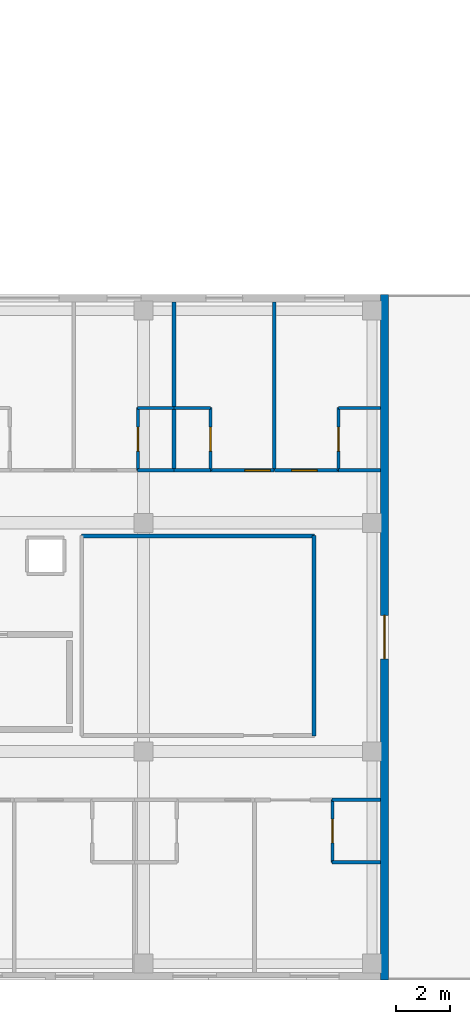
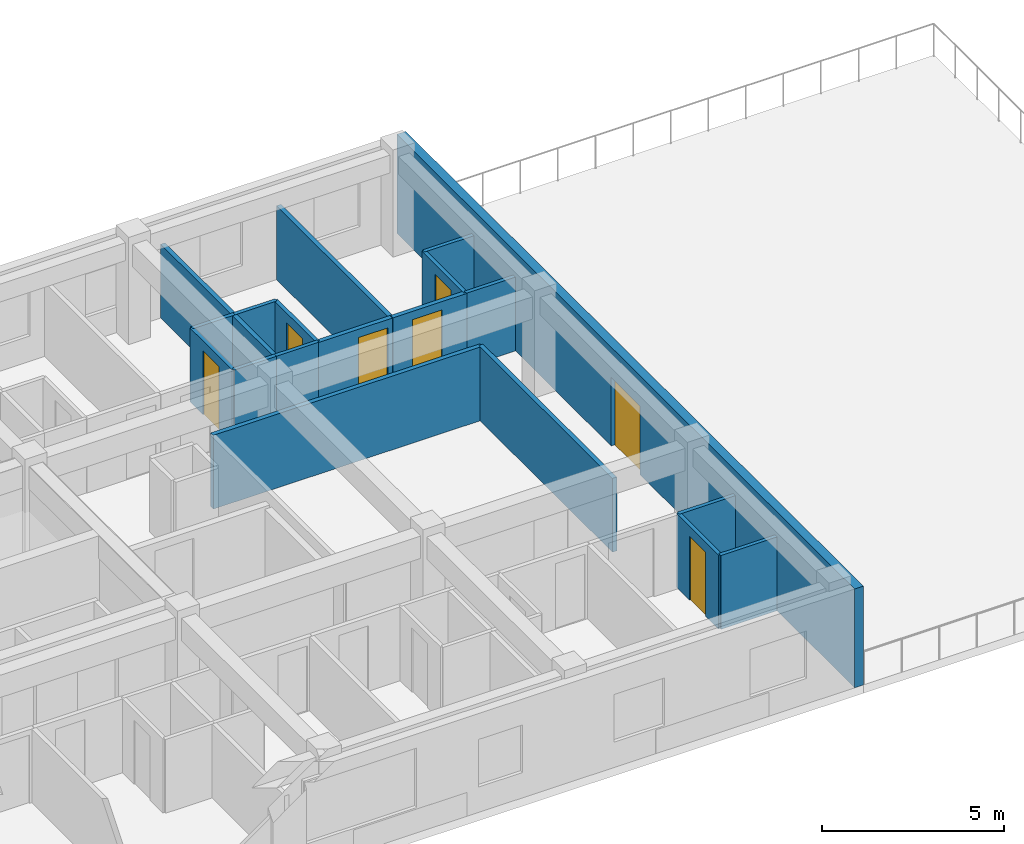
# One storey, part 9 of 13: 19 walls, 7 doors, 7 openings.
"""IFC4 building model written with IfcOpenShell, lengths in metres."""

from ifc_helpers import new_model, si_unit, direction, frame, frame_2d, origin, place, context, subcontext, project, spatial, rectangle, extrude, material, layer, layer_set, type_object, element, fill, save


model = new_model("IFC4")

# Units and contexts
model_context = context("Model", 3, precision=1e-05, world=origin(), true_north=direction((0.0, 1.0)))
body_context = subcontext(model_context, "Body", "Model", "MODEL_VIEW")
ifc_project = project(units=[si_unit("LENGTHUNIT", "METRE"), si_unit("AREAUNIT", "SQUARE_METRE"), si_unit("VOLUMEUNIT", "CUBIC_METRE"), si_unit("PLANEANGLEUNIT", "RADIAN"), si_unit("MASSUNIT", "GRAM", prefix="KILO")], contexts=[model_context])

# Site, building, storey
site_placement = place(None, origin())
site = spatial("IfcSite", under=ifc_project, at=site_placement, CompositionType="ELEMENT")
building_placement = place(site_placement, origin())
building = spatial("IfcBuilding", under=site, at=building_placement, Name="Zayran Congress Hotel", CompositionType="ELEMENT")
storey_placement = place(building_placement, frame((0.0, 0.0, 22.800048828125)))
storey = spatial("IfcBuildingStorey", under=building, at=storey_placement, Name="L05", CompositionType="ELEMENT", Elevation=22.800048828125)

# Wall, opening, door
ifc_material_1 = material(Name="Hajar Ma'ani limestone cavity wall and concrete C32/40", Category="masonry")
ifc_layer_1 = layer(ifc_material_1, 0.280029296875)
ifc_layer_set_1 = layer_set([ifc_layer_1], Name="Hajar Ma'ani limestone cavity wall and concrete C32/40")
wall_type_1 = type_object("IfcWallType", Name="WL-EX-280", PredefinedType="SOLIDWALL", material=ifc_layer_set_1)
wall_1_placement = place(storey_placement, frame((75.4599609375, 34.0, 0.0), z_axis=(0.0, 0.0, 1.0), x_axis=(0.0, -1.0, 0.0)))
wall_1 = element("IfcWall", 1, at=wall_1_placement, inside=storey, type_object=wall_type_1, Name="EW-V5-E-L05", PredefinedType="SOLIDWALL", context=body_context, shape_type="SweptSolid", body=[
    extrude(rectangle(XDim=25.199951171875, YDim=0.280029296875, at=frame_2d((12.60009765625, 0.0))), origin(), (0.0, 0.0, 1.0), 3.320068359375),
])
opening_1_placement = place(wall_1_placement, frame((11.800048828125, 0.0, 0.0)))
opening_1 = element("IfcOpeningElement", 2, at=opening_1_placement, cuts=wall_1, Name="Opening DEX-04", PredefinedType="OPENING", context=body_context, shape_type="SweptSolid", body=[
    extrude(rectangle(XDim=1.60009765625, YDim=2.300048828125, at=frame_2d((0.800048828125, 1.14990234375))), frame((0.0, 0.14990234375, 0.0), z_axis=(0.0, -1.0, 0.0), x_axis=(1.0, 0.0, 0.0)), (0.0, 0.0, 1.0), 0.300048828125),
])
ifc_material_2 = material(Name="Anodised aluminium terrace door", Category="aluminium")
door_type_1 = type_object("IfcDoorType", Name="TP-DEX-04", OperationType="DOUBLE_DOOR_SINGLE_SWING", PredefinedType="DOOR", material=ifc_material_2)
door_1_placement = place(opening_1_placement, origin())
door_1 = element("IfcDoor", 3, at=door_1_placement, inside=storey, type_object=door_type_1, Name="L05 East Planted Roof Terrace Door", OperationType="DOUBLE_DOOR_SINGLE_SWING", OverallHeight=2.300048828125, OverallWidth=1.60009765625, PredefinedType="DOOR", context=body_context, shape_type="SweptSolid", body=[
    extrude(rectangle(XDim=1.60009765625, YDim=2.300048828125, at=frame_2d((0.800048828125, 1.14990234375))), frame((0.0, 0.02490234375, 0.0), z_axis=(0.0, -1.0, 0.0), x_axis=(1.0, 0.0, 0.0)), (0.0, 0.0, 1.0), 0.050048828125),
])
fill(opening_1, door_1)

ifc_material_3 = material(Name="Hospitality guestroom acoustic partition", Category="gypsum")
ifc_layer_2 = layer(ifc_material_3, 0.139892578125)
ifc_layer_set_2 = layer_set([ifc_layer_2], Name="Hospitality guestroom acoustic partition")
wall_type_2 = type_object("IfcWallType", Name="WL-PT-140", PredefinedType="PARTITIONING", material=ifc_layer_set_2)
wall_2_placement = place(storey_placement, frame((69.06103515625, 27.530029296875, 0.0), z_axis=(0.0, 0.0, 1.0), x_axis=(1.0, 0.0, 0.0)))
wall_2 = element("IfcWall", 4, at=wall_2_placement, inside=storey, type_object=wall_type_2, Name="IW-L05-0687", PredefinedType="PARTITIONING", context=body_context, shape_type="SweptSolid", body=[
    extrude(rectangle(XDim=2.343994140625, YDim=0.139892578125, at=frame_2d((1.171875, 0.0))), origin(), (0.0, 0.0, 1.0), 2.47998046875),
])
opening_2_placement = place(wall_2_placement, frame((1.263916015625, 0.0, 0.0)))
opening_2 = element("IfcOpeningElement", 5, at=opening_2_placement, cuts=wall_2, Name="Opening DR-GR-01", PredefinedType="OPENING", context=body_context, shape_type="SweptSolid", body=[
    extrude(rectangle(XDim=0.93994140625, YDim=2.199951171875, at=frame_2d((0.469970703125, 1.10009765625))), frame((0.0, 0.079833984375, 0.0), z_axis=(0.0, -1.0, 0.0), x_axis=(1.0, 0.0, 0.0)), (0.0, 0.0, 1.0), 0.159912109375),
])
ifc_material_4 = material(Name="Acoustic walnut veneer fire-rated entry door", Category="wood")
door_type_2 = type_object("IfcDoorType", Name="TP-DR-GR-01", OperationType="NOTDEFINED", PredefinedType="DOOR", material=ifc_material_4)
door_2_placement = place(opening_2_placement, origin())
door_2 = element("IfcDoor", 6, at=door_2_placement, inside=storey, type_object=door_type_2, Name="Guest Room L05-29 Door", OperationType="SINGLE_SWING_LEFT", OverallHeight=2.199951171875, OverallWidth=0.93994140625, PredefinedType="DOOR", context=body_context, shape_type="SweptSolid", body=[
    extrude(rectangle(XDim=0.93994140625, YDim=2.199951171875, at=frame_2d((0.469970703125, 1.10009765625))), frame((0.0, 0.02490234375, 0.0), z_axis=(0.0, -1.0, 0.0), x_axis=(1.0, 0.0, 0.0)), (0.0, 0.0, 1.0), 0.050048828125),
])
fill(opening_2, door_2)

wall_3_placement = place(storey_placement, frame((71.425048828125, 27.530029296875, 0.0), z_axis=(0.0, 0.0, 1.0), x_axis=(1.0, 0.0, 0.0)))
wall_3 = element("IfcWall", 7, at=wall_3_placement, inside=storey, type_object=wall_type_2, Name="IW-L05-0688", PredefinedType="PARTITIONING", context=body_context, shape_type="SweptSolid", body=[
    extrude(rectangle(XDim=2.344970703125, YDim=0.139892578125, at=frame_2d((1.17236328125, 0.0))), origin(), (0.0, 0.0, 1.0), 2.47998046875),
])
opening_3_placement = place(wall_3_placement, frame((0.6220703125, 0.0, 0.0)))
opening_3 = element("IfcOpeningElement", 8, at=opening_3_placement, cuts=wall_3, Name="Opening DR-GR-01", PredefinedType="OPENING", context=body_context, shape_type="SweptSolid", body=[
    extrude(rectangle(XDim=0.93994140625, YDim=2.199951171875, at=frame_2d((0.469970703125, 1.10009765625))), frame((0.0, 0.079833984375, 0.0), z_axis=(0.0, -1.0, 0.0), x_axis=(1.0, 0.0, 0.0)), (0.0, 0.0, 1.0), 0.159912109375),
])
door_3_placement = place(opening_3_placement, origin())
door_3 = element("IfcDoor", 9, at=door_3_placement, inside=storey, type_object=door_type_2, Name="Guest Room L05-30 Door", OperationType="SINGLE_SWING_RIGHT", OverallHeight=2.199951171875, OverallWidth=0.93994140625, PredefinedType="DOOR", context=body_context, shape_type="SweptSolid", body=[
    extrude(rectangle(XDim=0.93994140625, YDim=2.199951171875, at=frame_2d((0.469970703125, 1.10009765625))), frame((0.0, 0.02490234375, 0.0), z_axis=(0.0, -1.0, 0.0), x_axis=(1.0, 0.0, 0.0)), (0.0, 0.0, 1.0), 0.050048828125),
])
fill(opening_3, door_3)

# Walls
wall_4_placement = place(storey_placement, frame((64.320068359375, 25.1201171875, 0.0), z_axis=(0.0, 0.0, 1.0), x_axis=(1.0, 0.0, 0.0)))
element("IfcWall", 10, at=wall_4_placement, inside=storey, type_object=wall_type_2, Name="IW-L05-1983", PredefinedType="PARTITIONING", context=body_context, shape_type="SweptSolid", body=[
    extrude(rectangle(XDim=8.559814453125, YDim=0.139892578125, at=frame_2d((4.27978515625, 0.0))), origin(), (0.0, 0.0, 1.0), 2.47998046875),
])
wall_5_placement = place(storey_placement, frame((72.8701171875, 17.77001953125, 0.0), z_axis=(0.0, 0.0, 1.0), x_axis=(0.0, 1.0, 0.0)))
element("IfcWall", 11, at=wall_5_placement, inside=storey, type_object=wall_type_2, Name="IW-L05-1985", PredefinedType="PARTITIONING", context=body_context, shape_type="SweptSolid", body=[
    extrude(rectangle(XDim=7.35986328125, YDim=0.139892578125, at=frame_2d((3.679931640625, 0.0))), origin(), (0.0, 0.0, 1.0), 2.47998046875),
])
for number, where, z_axis, x_axis, name in (
    (12, (67.720947265625, 27.52001953125, 0.0), (0.0, 0.0, 1.0), (0.0, 1.0, 0.0), "IW-L05-2014"),
    (13, (71.405029296875, 27.52001953125, 0.0), (0.0, 0.0, 1.0), (0.0, 1.0, 0.0), "IW-L05-2015"),
):
    element("IfcWall", number, at=place(storey_placement, frame(where, z_axis=z_axis, x_axis=x_axis)), inside=storey, type_object=wall_type_2, Name=name, PredefinedType="PARTITIONING", context=body_context, shape_type="SweptSolid", body=[
        extrude(rectangle(XDim=6.199951171875, YDim=0.139892578125, at=frame_2d((3.10009765625, 0.0))), origin(), (0.0, 0.0, 1.0), 2.47998046875),
    ])

# Wall, opening, door
ifc_material_5 = material(Name="Moisture-resistant bathroom partition", Category="gypsum")
ifc_layer_3 = layer(ifc_material_5, 0.1201171875)
ifc_layer_set_3 = layer_set([ifc_layer_3], Name="Moisture-resistant bathroom partition")
wall_type_3 = type_object("IfcWallType", Name="WL-PT-120", PredefinedType="PARTITIONING", material=ifc_layer_set_3)
wall_6_placement = place(storey_placement, frame((73.547119140625, 13.1201171875, 0.0), z_axis=(0.0, 0.0, 1.0), x_axis=(0.0, 1.0, 0.0)))
wall_6 = element("IfcWall", 14, at=wall_6_placement, inside=storey, type_object=wall_type_3, Name="IW-L05-0175", PredefinedType="PARTITIONING", context=body_context, shape_type="SweptSolid", body=[
    extrude(rectangle(XDim=2.309814453125, YDim=0.1201171875, at=frame_2d((1.15478515625, 0.0))), origin(), (0.0, 0.0, 1.0), 2.47998046875),
])
opening_4_placement = place(wall_6_placement, frame((0.715087890625, 0.0, 0.0)))
opening_4 = element("IfcOpeningElement", 15, at=opening_4_placement, cuts=wall_6, Name="Opening DR-BT-01", PredefinedType="OPENING", context=body_context, shape_type="SweptSolid", body=[
    extrude(rectangle(XDim=0.8798828125, YDim=2.14990234375, at=frame_2d((0.43994140625, 1.074951171875))), frame((0.0, 0.070068359375, 0.0), z_axis=(0.0, -1.0, 0.0), x_axis=(1.0, 0.0, 0.0)), (0.0, 0.0, 1.0), 0.14013671875),
])
ifc_material_6 = material(Name="Moisture-resistant oak en-suite door", Category="wood")
door_type_3 = type_object("IfcDoorType", Name="TP-DR-BT-01", OperationType="NOTDEFINED", PredefinedType="DOOR", material=ifc_material_6)
door_4_placement = place(opening_4_placement, origin())
door_4 = element("IfcDoor", 16, at=door_4_placement, inside=storey, type_object=door_type_3, Name="En-Suite Bathroom L05-15 Door", OperationType="SINGLE_SWING_RIGHT", OverallHeight=2.14990234375, OverallWidth=0.8798828125, PredefinedType="DOOR", context=body_context, shape_type="SweptSolid", body=[
    extrude(rectangle(XDim=0.8798828125, YDim=2.14990234375, at=frame_2d((0.43994140625, 1.074951171875))), frame((0.0, 0.02490234375, 0.0), z_axis=(0.0, -1.0, 0.0), x_axis=(1.0, 0.0, 0.0)), (0.0, 0.0, 1.0), 0.050048828125),
])
fill(opening_4, door_4)

wall_7_placement = place(storey_placement, frame((66.40087890625, 27.52001953125, 0.0), z_axis=(0.0, 0.0, 1.0), x_axis=(0.0, 1.0, 0.0)))
wall_7 = element("IfcWall", 17, at=wall_7_placement, inside=storey, type_object=wall_type_3, Name="IW-L05-0188", PredefinedType="PARTITIONING", context=body_context, shape_type="SweptSolid", body=[
    extrude(rectangle(XDim=2.31005859375, YDim=0.1201171875, at=frame_2d((1.155029296875, 0.0))), origin(), (0.0, 0.0, 1.0), 2.47998046875),
])
opening_5_placement = place(wall_7_placement, frame((0.715087890625, 0.0, 0.0)))
opening_5 = element("IfcOpeningElement", 18, at=opening_5_placement, cuts=wall_7, Name="Opening DR-BT-01", PredefinedType="OPENING", context=body_context, shape_type="SweptSolid", body=[
    extrude(rectangle(XDim=0.8798828125, YDim=2.14990234375, at=frame_2d((0.43994140625, 1.074951171875))), frame((0.0, 0.070068359375, 0.0), z_axis=(0.0, -1.0, 0.0), x_axis=(1.0, 0.0, 0.0)), (0.0, 0.0, 1.0), 0.14013671875),
])
door_5_placement = place(opening_5_placement, origin())
door_5 = element("IfcDoor", 19, at=door_5_placement, inside=storey, type_object=door_type_3, Name="En-Suite Bathroom L05-28 Door", OperationType="SINGLE_SWING_LEFT", OverallHeight=2.14990234375, OverallWidth=0.8798828125, PredefinedType="DOOR", context=body_context, shape_type="SweptSolid", body=[
    extrude(rectangle(XDim=0.8798828125, YDim=2.14990234375, at=frame_2d((0.43994140625, 1.074951171875))), frame((0.0, 0.02490234375, 0.0), z_axis=(0.0, -1.0, 0.0), x_axis=(1.0, 0.0, 0.0)), (0.0, 0.0, 1.0), 0.050048828125),
])
fill(opening_5, door_5)

wall_8_placement = place(storey_placement, frame((69.06103515625, 27.52001953125, 0.0), z_axis=(0.0, 0.0, 1.0), x_axis=(0.0, 1.0, 0.0)))
wall_8 = element("IfcWall", 20, at=wall_8_placement, inside=storey, type_object=wall_type_3, Name="IW-L05-0189", PredefinedType="PARTITIONING", context=body_context, shape_type="SweptSolid", body=[
    extrude(rectangle(XDim=2.31005859375, YDim=0.1201171875, at=frame_2d((1.155029296875, 0.0))), origin(), (0.0, 0.0, 1.0), 2.47998046875),
])
opening_6_placement = place(wall_8_placement, frame((0.715087890625, 0.0, 0.0)))
opening_6 = element("IfcOpeningElement", 21, at=opening_6_placement, cuts=wall_8, Name="Opening DR-BT-01", PredefinedType="OPENING", context=body_context, shape_type="SweptSolid", body=[
    extrude(rectangle(XDim=0.8798828125, YDim=2.14990234375, at=frame_2d((0.43994140625, 1.074951171875))), frame((0.0, 0.070068359375, 0.0), z_axis=(0.0, -1.0, 0.0), x_axis=(1.0, 0.0, 0.0)), (0.0, 0.0, 1.0), 0.14013671875),
])
door_6_placement = place(opening_6_placement, origin())
door_6 = element("IfcDoor", 22, at=door_6_placement, inside=storey, type_object=door_type_3, Name="En-Suite Bathroom L05-29 Door", OperationType="SINGLE_SWING_RIGHT", OverallHeight=2.14990234375, OverallWidth=0.8798828125, PredefinedType="DOOR", context=body_context, shape_type="SweptSolid", body=[
    extrude(rectangle(XDim=0.8798828125, YDim=2.14990234375, at=frame_2d((0.43994140625, 1.074951171875))), frame((0.0, 0.02490234375, 0.0), z_axis=(0.0, -1.0, 0.0), x_axis=(1.0, 0.0, 0.0)), (0.0, 0.0, 1.0), 0.050048828125),
])
fill(opening_6, door_6)

wall_9_placement = place(storey_placement, frame((73.77001953125, 27.52001953125, 0.0), z_axis=(0.0, 0.0, 1.0), x_axis=(0.0, 1.0, 0.0)))
wall_9 = element("IfcWall", 23, at=wall_9_placement, inside=storey, type_object=wall_type_3, Name="IW-L05-0190", PredefinedType="PARTITIONING", context=body_context, shape_type="SweptSolid", body=[
    extrude(rectangle(XDim=2.31005859375, YDim=0.1201171875, at=frame_2d((1.155029296875, 0.0))), origin(), (0.0, 0.0, 1.0), 2.47998046875),
])
opening_7_placement = place(wall_9_placement, frame((0.715087890625, 0.0, 0.0)))
opening_7 = element("IfcOpeningElement", 24, at=opening_7_placement, cuts=wall_9, Name="Opening DR-BT-01", PredefinedType="OPENING", context=body_context, shape_type="SweptSolid", body=[
    extrude(rectangle(XDim=0.8798828125, YDim=2.14990234375, at=frame_2d((0.43994140625, 1.074951171875))), frame((0.0, 0.070068359375, 0.0), z_axis=(0.0, -1.0, 0.0), x_axis=(1.0, 0.0, 0.0)), (0.0, 0.0, 1.0), 0.14013671875),
])
door_7_placement = place(opening_7_placement, origin())
door_7 = element("IfcDoor", 25, at=door_7_placement, inside=storey, type_object=door_type_3, Name="En-Suite Bathroom L05-30 Door", OperationType="SINGLE_SWING_LEFT", OverallHeight=2.14990234375, OverallWidth=0.8798828125, PredefinedType="DOOR", context=body_context, shape_type="SweptSolid", body=[
    extrude(rectangle(XDim=0.8798828125, YDim=2.14990234375, at=frame_2d((0.43994140625, 1.074951171875))), frame((0.0, 0.02490234375, 0.0), z_axis=(0.0, -1.0, 0.0), x_axis=(1.0, 0.0, 0.0)), (0.0, 0.0, 1.0), 0.050048828125),
])
fill(opening_7, door_7)

# Walls
for number, where, z_axis, x_axis, name in (
    (26, (73.537109375, 13.1298828125, 0.0), (0.0, 0.0, 1.0), (1.0, 0.0, 0.0), "IW-L05-1217"),
    (27, (73.537109375, 15.419921875, 0.0), (0.0, 0.0, 1.0), (1.0, 0.0, 0.0), "IW-L05-1218"),
):
    element("IfcWall", number, at=place(storey_placement, frame(where, z_axis=z_axis, x_axis=x_axis)), inside=storey, type_object=wall_type_3, Name=name, PredefinedType="PARTITIONING", context=body_context, shape_type="SweptSolid", body=[
        extrude(rectangle(XDim=1.782958984375, YDim=0.1201171875, at=frame_2d((0.8916015625, 0.0))), origin(), (0.0, 0.0, 1.0), 2.47998046875),
    ])
for number, where, z_axis, x_axis, name in (
    (28, (66.39111328125, 27.530029296875, 0.0), (0.0, 0.0, 1.0), (1.0, 0.0, 0.0), "IW-L05-1243"),
    (29, (66.39111328125, 29.820068359375, 0.0), (0.0, 0.0, 1.0), (1.0, 0.0, 0.0), "IW-L05-1244"),
):
    element("IfcWall", number, at=place(storey_placement, frame(where, z_axis=z_axis, x_axis=x_axis)), inside=storey, type_object=wall_type_3, Name=name, PredefinedType="PARTITIONING", context=body_context, shape_type="SweptSolid", body=[
        extrude(rectangle(XDim=1.33984375, YDim=0.1201171875, at=frame_2d((0.669921875, 0.0))), origin(), (0.0, 0.0, 1.0), 2.47998046875),
    ])
for number, where, z_axis, x_axis, name in (
    (30, (67.73095703125, 27.530029296875, 0.0), (0.0, 0.0, 1.0), (1.0, 0.0, 0.0), "IW-L05-1245"),
    (31, (67.73095703125, 29.820068359375, 0.0), (0.0, 0.0, 1.0), (1.0, 0.0, 0.0), "IW-L05-1246"),
):
    element("IfcWall", number, at=place(storey_placement, frame(where, z_axis=z_axis, x_axis=x_axis)), inside=storey, type_object=wall_type_3, Name=name, PredefinedType="PARTITIONING", context=body_context, shape_type="SweptSolid", body=[
        extrude(rectangle(XDim=1.340087890625, YDim=0.1201171875, at=frame_2d((0.669921875, 0.0))), origin(), (0.0, 0.0, 1.0), 2.47998046875),
    ])
for number, where, z_axis, x_axis, name in (
    (32, (73.760009765625, 27.530029296875, 0.0), (0.0, 0.0, 1.0), (1.0, 0.0, 0.0), "IW-L05-1247"),
    (33, (73.760009765625, 29.820068359375, 0.0), (0.0, 0.0, 1.0), (1.0, 0.0, 0.0), "IW-L05-1248"),
):
    element("IfcWall", number, at=place(storey_placement, frame(where, z_axis=z_axis, x_axis=x_axis)), inside=storey, type_object=wall_type_3, Name=name, PredefinedType="PARTITIONING", context=body_context, shape_type="SweptSolid", body=[
        extrude(rectangle(XDim=1.56005859375, YDim=0.1201171875, at=frame_2d((0.780029296875, 0.0))), origin(), (0.0, 0.0, 1.0), 2.47998046875),
    ])

save(model, "model.ifc")
